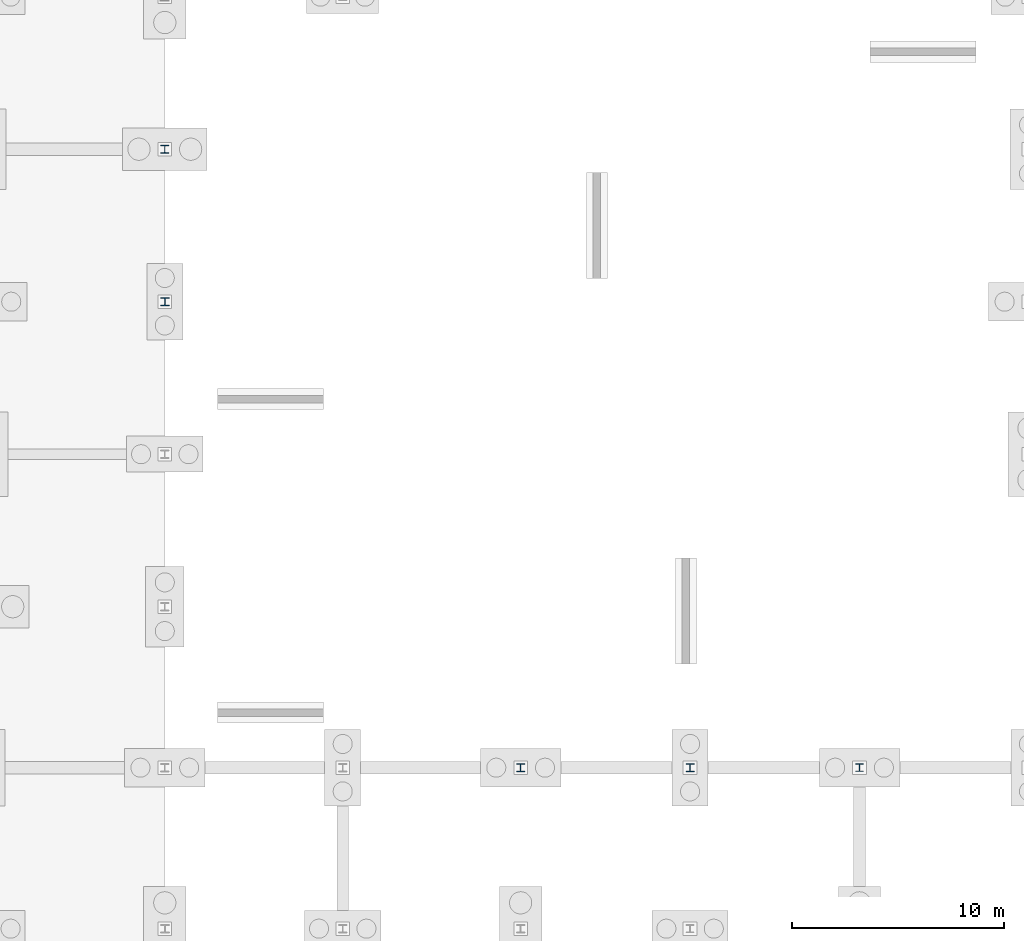
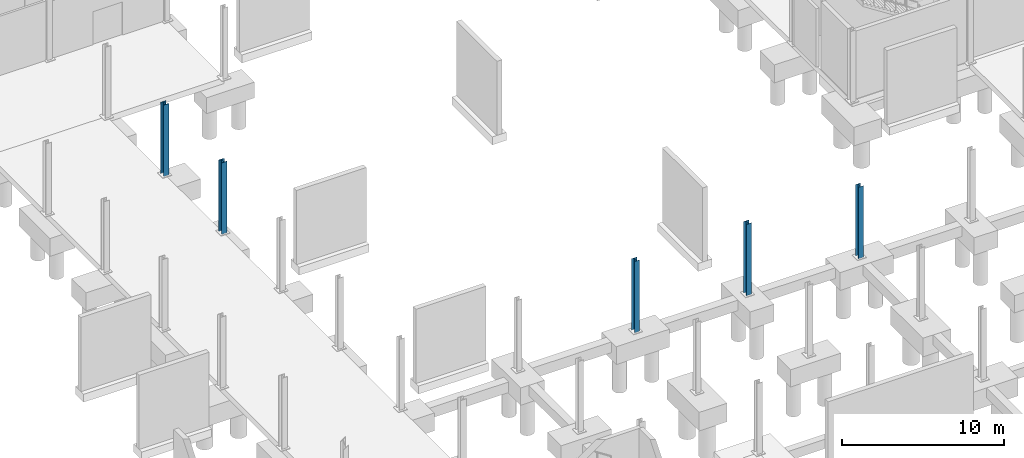
# One storey, part 26 of 61: 5 columns.
"""IFC4 building model written with IfcOpenShell, lengths in metres."""

from ifc_helpers import new_model, si_unit, direction, frame, origin, origin_2d, place, context, subcontext, project, spatial, i_section, extrude, material, material_profile, profile_set, type_object, element, save


model = new_model("IFC4")

# Units and contexts
model_context = context("Model", 3, precision=1e-05, world=origin(), true_north=direction((0.0, 1.0)))
body_context = subcontext(model_context, "Body", "Model", "MODEL_VIEW")
ifc_project = project(units=[si_unit("LENGTHUNIT", "METRE"), si_unit("AREAUNIT", "SQUARE_METRE"), si_unit("VOLUMEUNIT", "CUBIC_METRE"), si_unit("PLANEANGLEUNIT", "RADIAN"), si_unit("MASSUNIT", "GRAM", prefix="KILO")], contexts=[model_context])

# Site, building, storey
site_placement = place(None, origin())
site = spatial("IfcSite", under=ifc_project, at=site_placement, CompositionType="ELEMENT")
building_placement = place(site_placement, origin())
building = spatial("IfcBuilding", under=site, at=building_placement, Name="Calvrana Isthmian Art Gallery", CompositionType="ELEMENT")
storey_placement = place(building_placement, frame((0.0, 0.0, -5.39990234375)))
storey = spatial("IfcBuildingStorey", under=building, at=storey_placement, Name="B1", CompositionType="ELEMENT", Elevation=-5.39990234375)

# Columns
ifc_material = material(Name="Steel ASTM A992 Gr 50", Category="steel")
ifc_material_profile_1 = material_profile(ifc_material, i_section(OverallWidth=0.37109375, OverallDepth=0.363037109375, WebThickness=0.01318359375, FlangeThickness=0.021728515625, FilletRadius=0.02490234375, at=origin_2d()), Name="W14X109")
ifc_profile_set_1 = profile_set([ifc_material_profile_1], Name="Steel ASTM A992 Gr 50")
column_type_1 = type_object("IfcColumnType", Name="COL-STL-W14X109", PredefinedType="COLUMN", material=ifc_profile_set_1)
column_1_placement = place(storey_placement, frame((88.39990234375, 62.0, 0.0), z_axis=(0.0, 0.0, 1.0), x_axis=(1.0, 0.0, 0.0)))
element("IfcColumn", 1, at=column_1_placement, inside=storey, type_object=column_type_1, Name="Column 12/I B1", PredefinedType="COLUMN", context=body_context, shape_type="SweptSolid", body=[
    extrude(i_section(OverallWidth=0.37109375, OverallDepth=0.363037109375, WebThickness=0.01318359375, FlangeThickness=0.021728515625, FilletRadius=0.02490234375, at=origin_2d()), origin(), (0.0, 0.0, 1.0), 5.39990234375),
])
ifc_material_profile_2 = material_profile(ifc_material, i_section(OverallWidth=0.373046875, OverallDepth=0.367919921875, WebThickness=0.014892578125, FlangeThickness=0.02392578125, FilletRadius=0.02490234375, at=origin_2d()), Name="W14X120")
ifc_profile_set_2 = profile_set([ifc_material_profile_2], Name="Steel ASTM A992 Gr 50")
column_type_2 = type_object("IfcColumnType", Name="COL-STL-W14X120", PredefinedType="COLUMN", material=ifc_profile_set_2)
column_2_placement = place(storey_placement, frame((80.39990234375, 62.0, 0.0), z_axis=(0.0, 0.0, 1.0), x_axis=(1.0, 0.0, 0.0)))
element("IfcColumn", 2, at=column_2_placement, inside=storey, type_object=column_type_2, Name="Column 11/I B1", PredefinedType="COLUMN", context=body_context, shape_type="SweptSolid", body=[
    extrude(i_section(OverallWidth=0.373046875, OverallDepth=0.367919921875, WebThickness=0.014892578125, FlangeThickness=0.02392578125, FilletRadius=0.02490234375, at=origin_2d()), origin(), (0.0, 0.0, 1.0), 5.39990234375),
])
ifc_material_profile_3 = material_profile(ifc_material, i_section(OverallWidth=0.373046875, OverallDepth=0.373046875, WebThickness=0.016357421875, FlangeThickness=0.026123046875, FilletRadius=0.02490234375, at=origin_2d()), Name="W14X132")
ifc_profile_set_3 = profile_set([ifc_material_profile_3], Name="Steel ASTM A992 Gr 50")
column_type_3 = type_object("IfcColumnType", Name="COL-STL-W14X132", PredefinedType="COLUMN", material=ifc_profile_set_3)
column_3_placement = place(storey_placement, frame((63.60009765625, 91.199951171875, 0.0), z_axis=(0.0, 0.0, 1.0), x_axis=(1.0, 0.0, 0.0)))
element("IfcColumn", 3, at=column_3_placement, inside=storey, type_object=column_type_3, Name="Column 09/M B1", PredefinedType="COLUMN", context=body_context, shape_type="SweptSolid", body=[
    extrude(i_section(OverallWidth=0.373046875, OverallDepth=0.373046875, WebThickness=0.016357421875, FlangeThickness=0.026123046875, FilletRadius=0.02490234375, at=origin_2d()), origin(), (0.0, 0.0, 1.0), 5.39990234375),
])
ifc_material_profile_4 = material_profile(ifc_material, i_section(OverallWidth=0.39892578125, OverallDepth=0.385986328125, WebThickness=0.02099609375, FlangeThickness=0.033203125, FilletRadius=0.02490234375, at=origin_2d()), Name="W14X176")
ifc_profile_set_4 = profile_set([ifc_material_profile_4], Name="Steel ASTM A992 Gr 50")
column_type_4 = type_object("IfcColumnType", Name="COL-STL-W14X176", PredefinedType="COLUMN", material=ifc_profile_set_4)
column_4_placement = place(storey_placement, frame((63.60009765625, 84.0, 0.0), z_axis=(0.0, 0.0, 1.0), x_axis=(1.0, 0.0, 0.0)))
element("IfcColumn", 4, at=column_4_placement, inside=storey, type_object=column_type_4, Name="Column 09/L B1", PredefinedType="COLUMN", context=body_context, shape_type="SweptSolid", body=[
    extrude(i_section(OverallWidth=0.39892578125, OverallDepth=0.385986328125, WebThickness=0.02099609375, FlangeThickness=0.033203125, FilletRadius=0.02490234375, at=origin_2d()), origin(), (0.0, 0.0, 1.0), 5.39990234375),
])
ifc_material_profile_5 = material_profile(ifc_material, i_section(OverallWidth=0.367919921875, OverallDepth=0.35595703125, WebThickness=0.01123046875, FlangeThickness=0.01806640625, FilletRadius=0.02490234375, at=origin_2d()), Name="W14X90")
ifc_profile_set_5 = profile_set([ifc_material_profile_5], Name="Steel ASTM A992 Gr 50")
column_type_5 = type_object("IfcColumnType", Name="COL-STL-W14X90", PredefinedType="COLUMN", material=ifc_profile_set_5)
column_5_placement = place(storey_placement, frame((96.39990234375, 62.0, 0.0), z_axis=(0.0, 0.0, 1.0), x_axis=(1.0, 0.0, 0.0)))
element("IfcColumn", 5, at=column_5_placement, inside=storey, type_object=column_type_5, Name="Column 13/I B1", PredefinedType="COLUMN", context=body_context, shape_type="SweptSolid", body=[
    extrude(i_section(OverallWidth=0.367919921875, OverallDepth=0.35595703125, WebThickness=0.01123046875, FlangeThickness=0.01806640625, FilletRadius=0.02490234375, at=origin_2d()), origin(), (0.0, 0.0, 1.0), 5.39990234375),
])

save(model, "model.ifc")
